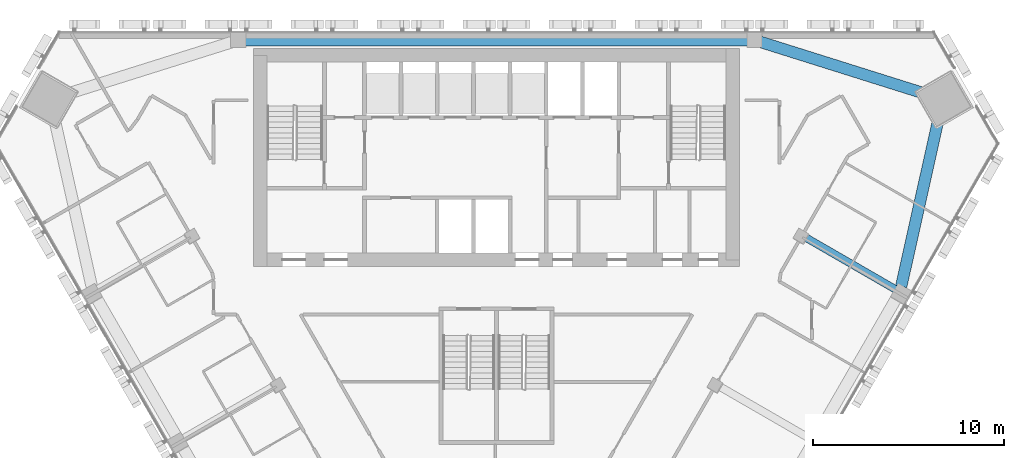
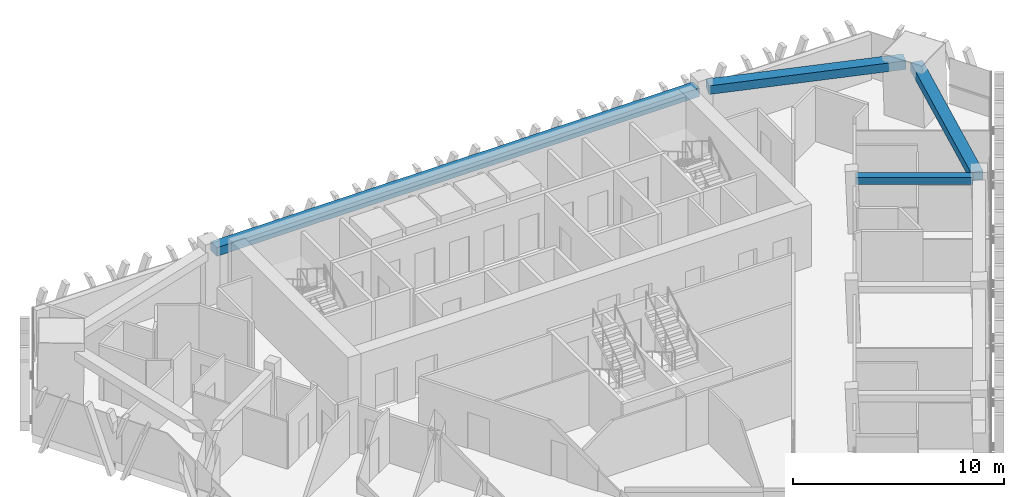
# One storey, part 6 of 16: 4 beams.
"""IFC4 building model written with IfcOpenShell, lengths in metres."""

from ifc_helpers import new_model, si_unit, direction, frame, origin, origin_2d, place, context, subcontext, project, spatial, rectangle, extrude, material, material_profile, profile_set, type_object, element, save


model = new_model("IFC4")

# Units and contexts
model_context = context("Model", 3, precision=1e-05, world=origin(), true_north=direction((0.0, 1.0)))
body_context = subcontext(model_context, "Body", "Model", "MODEL_VIEW")
ifc_project = project(units=[si_unit("LENGTHUNIT", "METRE"), si_unit("AREAUNIT", "SQUARE_METRE"), si_unit("VOLUMEUNIT", "CUBIC_METRE"), si_unit("PLANEANGLEUNIT", "RADIAN"), si_unit("MASSUNIT", "GRAM", prefix="KILO")], contexts=[model_context])

# Site, building, storey
site_placement = place(None, origin())
site = spatial("IfcSite", under=ifc_project, at=site_placement, CompositionType="ELEMENT")
building_placement = place(site_placement, origin())
building = spatial("IfcBuilding", under=site, at=building_placement, Name="Altiplano Prism Tower", CompositionType="ELEMENT")
storey_placement = place(building_placement, frame((0.0, 0.0, 178.199951171875)))
storey = spatial("IfcBuildingStorey", under=building, at=storey_placement, Name="L46", CompositionType="ELEMENT", Elevation=178.199951171875)

# Beams
ifc_material = material(Name="Concrete C60/75", Category="concrete")
ifc_material_profile_1 = material_profile(ifc_material, rectangle(XDim=0.60009765625, YDim=0.5, at=origin_2d()), Name="Edge beam 600x500")
ifc_profile_set_1 = profile_set([ifc_material_profile_1], Name="Concrete C60/75")
beam_type_1 = type_object("IfcBeamType", Name="Edge beam 600x500", PredefinedType="SPANDREL", material=ifc_profile_set_1)
for number, where, z_axis, x_axis, name in (
    (1, (106.17236328125, 91.666015625, 2.900146484375), (0.217235476989, 0.976119228136, 0.0), (-0.976119228136, 0.217235476989, 0.0), "Edge beam P24-M2 L47"),
    (2, (107.921142578125, 101.587890625, 2.900146484375), (-0.953959125115, 0.299936639327, 0.0), (-0.299936639327, -0.953959125115, 0.0), "Edge beam M2-P01 L47"),
):
    element("IfcBeam", number, at=place(storey_placement, frame(where, z_axis=z_axis, x_axis=x_axis)), inside=storey, type_object=beam_type_1, Name=name, PredefinedType="SPANDREL", context=body_context, shape_type="SweptSolid", body=[
        extrude(rectangle(XDim=0.60009765625, YDim=0.5, at=origin_2d()), origin(), (0.0, 0.0, 1.0), 9.576416015625),
    ])
beam_1_placement = place(storey_placement, frame((98.219970703125, 104.550048828125, 2.900146484375), z_axis=(-1.0, 0.0, 0.0), x_axis=(0.0, -1.0, 0.0)))
element("IfcBeam", 3, at=beam_1_placement, inside=storey, type_object=beam_type_1, Name="Edge beam P01-P04 L47", PredefinedType="SPANDREL", context=body_context, shape_type="SweptSolid", body=[
    extrude(rectangle(XDim=0.60009765625, YDim=0.5, at=origin_2d()), origin(), (0.0, 0.0, 1.0), 26.43994140625),
])
ifc_material_profile_2 = material_profile(ifc_material, rectangle(XDim=0.39990234375, YDim=0.39990234375, at=origin_2d()), Name="Tie beam 400x400")
ifc_profile_set_2 = profile_set([ifc_material_profile_2], Name="Concrete C60/75")
beam_type_2 = type_object("IfcBeamType", Name="Tie beam 400x400", PredefinedType="BEAM", material=ifc_profile_set_2)
beam_2_placement = place(storey_placement, frame((101.023681640625, 94.308837890625, 2.949951171875), z_axis=(0.866030670444, -0.499990877767, 0.0), x_axis=(0.499990877767, 0.866030670444, 0.0)))
element("IfcBeam", 4, at=beam_2_placement, inside=storey, type_object=beam_type_2, Name="Tie beam I24 L47", PredefinedType="BEAM", context=body_context, shape_type="SweptSolid", body=[
    extrude(rectangle(XDim=0.39990234375, YDim=0.39990234375, at=origin_2d()), origin(), (0.0, 0.0, 1.0), 5.58984375),
])

save(model, "model.ifc")
